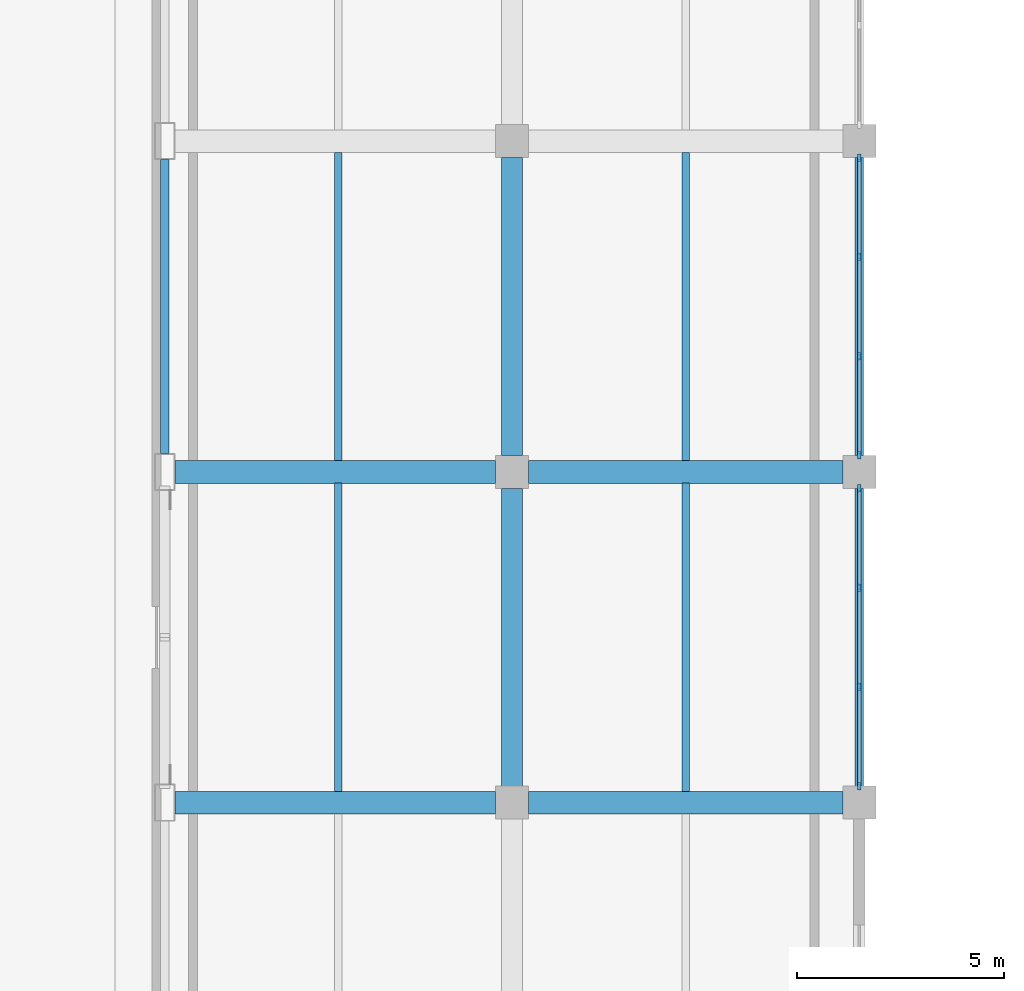
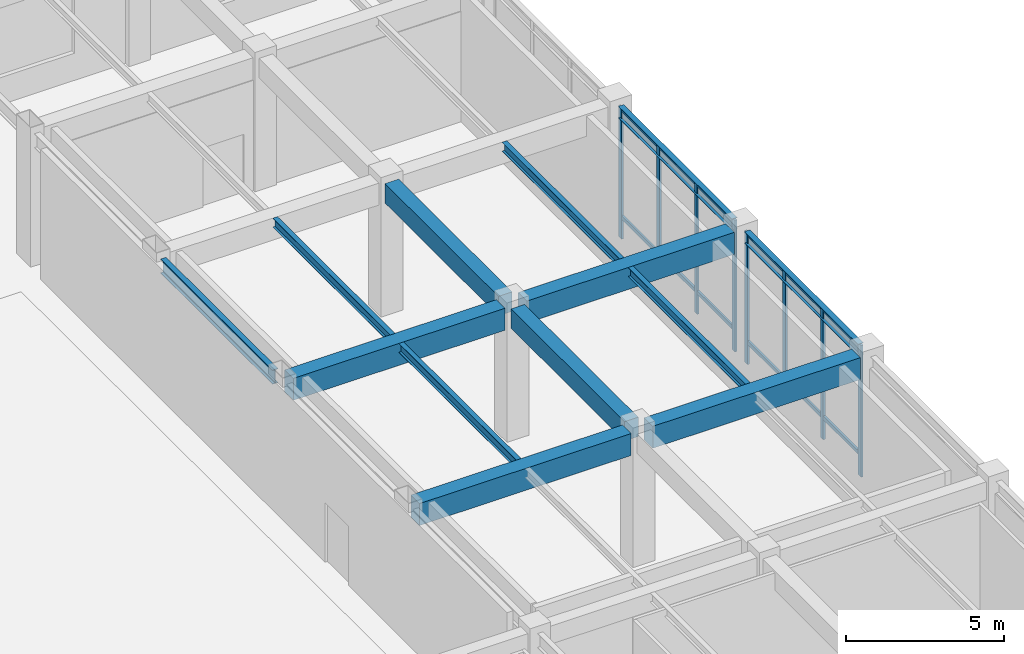
# One storey, part 40 of 79: 20 members, 13 beams, 2 elements without a shape of their own.
"""IFC4 building model written with IfcOpenShell, lengths in metres."""

from ifc_helpers import new_model, si_unit, direction, frame, origin, origin_2d, place, context, subcontext, project, spatial, rectangle, i_section, extrude, material, layer, layer_set, material_profile, profile_set, type_object, element, aggregate, save


model = new_model("IFC4")

# Units and contexts
model_context = context("Model", 3, precision=1e-05, world=origin(), true_north=direction((0.0, 1.0)))
body_context = subcontext(model_context, "Body", "Model", "MODEL_VIEW")
ifc_project = project(units=[si_unit("LENGTHUNIT", "METRE"), si_unit("AREAUNIT", "SQUARE_METRE"), si_unit("VOLUMEUNIT", "CUBIC_METRE"), si_unit("PLANEANGLEUNIT", "RADIAN"), si_unit("MASSUNIT", "GRAM", prefix="KILO")], contexts=[model_context])

# Site, building, storey
site_placement = place(None, origin())
site = spatial("IfcSite", under=ifc_project, at=site_placement, CompositionType="ELEMENT")
building_placement = place(site_placement, origin())
building = spatial("IfcBuilding", under=site, at=building_placement, Name="Naruveol Harbour Congress Hotel", CompositionType="ELEMENT")
storey_placement = place(building_placement, frame((0.0, 0.0, 6.0)))
storey = spatial("IfcBuildingStorey", under=building, at=storey_placement, Name="L01", CompositionType="ELEMENT", Elevation=6.0)

# Beams
ifc_material_1 = material(Name="Concrete C40/50", Category="concrete")
ifc_material_profile_1 = material_profile(ifc_material_1, rectangle(XDim=0.5, YDim=0.75, at=origin_2d()), Name="RCB-500x750")
ifc_profile_set_1 = profile_set([ifc_material_profile_1], Name="Concrete C40/50")
beam_type_1 = type_object("IfcBeamType", Name="RC FLOOR GIRDER 500X750", PredefinedType="BEAM", material=ifc_profile_set_1)
for number, where, z_axis, x_axis, name in (
    (1, (117.60009765625, 80.39599609375, 4.7451171875), (0.0, 1.0, 0.0), (-1.0, 0.0, 0.0), "Transverse girder L02 CB3"),
    (2, (117.60009765625, 88.39599609375, 4.7451171875), (0.0, 1.0, 0.0), (-1.0, 0.0, 0.0), "Transverse girder L02 CB3"),
):
    element("IfcBeam", number, at=place(storey_placement, frame(where, z_axis=z_axis, x_axis=x_axis)), inside=storey, type_object=beam_type_1, Name=name, PredefinedType="BEAM", context=body_context, shape_type="SweptSolid", body=[
        extrude(rectangle(XDim=0.5, YDim=0.75, at=origin_2d()), origin(), (0.0, 0.0, 1.0), 7.2080078125),
    ])
ifc_material_2 = material(Name="Concrete C40/50", Category="concrete")
ifc_material_profile_2 = material_profile(ifc_material_2, rectangle(XDim=0.550048828125, YDim=0.85009765625, at=origin_2d()), Name="RCB-550x850")
ifc_profile_set_2 = profile_set([ifc_material_profile_2], Name="Concrete C40/50")
beam_type_2 = type_object("IfcBeamType", Name="RC PRIMARY GIRDER 550X850", PredefinedType="BEAM", material=ifc_profile_set_2)
beam_1_placement = place(storey_placement, frame((109.446044921875, 80.0, 4.695068359375), z_axis=(1.0, 0.0, 0.0), x_axis=(0.0, 1.0, 0.0)))
element("IfcBeam", 3, at=beam_1_placement, inside=storey, type_object=beam_type_2, Name="Floor girder L02 CB2", PredefinedType="BEAM", context=body_context, shape_type="SweptSolid", body=[
    extrude(rectangle(XDim=0.550048828125, YDim=0.85009765625, at=origin_2d()), origin(), (0.0, 0.0, 1.0), 7.758056640625),
])
beam_2_placement = place(storey_placement, frame((117.99609375, 80.0, 4.695068359375), z_axis=(1.0, 0.0, 0.0), x_axis=(0.0, 1.0, 0.0)))
element("IfcBeam", 4, at=beam_2_placement, inside=storey, type_object=beam_type_2, Name="Floor girder L02 CB2", PredefinedType="BEAM", context=body_context, shape_type="SweptSolid", body=[
    extrude(rectangle(XDim=0.550048828125, YDim=0.85009765625, at=origin_2d()), origin(), (0.0, 0.0, 1.0), 7.60791015625),
])
beam_3_placement = place(storey_placement, frame((109.446044921875, 88.0, 4.695068359375), z_axis=(1.0, 0.0, 0.0), x_axis=(0.0, 1.0, 0.0)))
element("IfcBeam", 5, at=beam_3_placement, inside=storey, type_object=beam_type_2, Name="Floor girder L02 CB2", PredefinedType="BEAM", context=body_context, shape_type="SweptSolid", body=[
    extrude(rectangle(XDim=0.550048828125, YDim=0.85009765625, at=origin_2d()), origin(), (0.0, 0.0, 1.0), 7.758056640625),
])
beam_4_placement = place(storey_placement, frame((117.99609375, 88.0, 4.695068359375), z_axis=(1.0, 0.0, 0.0), x_axis=(0.0, 1.0, 0.0)))
element("IfcBeam", 6, at=beam_4_placement, inside=storey, type_object=beam_type_2, Name="Floor girder L02 CB2", PredefinedType="BEAM", context=body_context, shape_type="SweptSolid", body=[
    extrude(rectangle(XDim=0.550048828125, YDim=0.85009765625, at=origin_2d()), origin(), (0.0, 0.0, 1.0), 7.60791015625),
])
ifc_material_3 = material(Name="Steel SN490", Category="steel")
ifc_material_profile_3 = material_profile(ifc_material_3, i_section(OverallWidth=0.199951171875, OverallDepth=0.550048828125, WebThickness=0.010986328125, FlangeThickness=0.01708984375, at=origin_2d()), Name="H-550x200x11x17")
ifc_profile_set_3 = profile_set([ifc_material_profile_3], Name="Steel SN490")
beam_type_3 = type_object("IfcBeamType", Name="STEEL HALL GALLERY BEAM H550", PredefinedType="BEAM", material=ifc_profile_set_3)
beam_5_placement = place(storey_placement, frame((109.199951171875, 88.446044921875, 4.844970703125), z_axis=(0.0, 1.0, 0.0), x_axis=(-1.0, 0.0, 0.0)))
element("IfcBeam", 7, at=beam_5_placement, inside=storey, type_object=beam_type_3, Name="Transverse girder L02 SB4", PredefinedType="BEAM", context=body_context, shape_type="SweptSolid", body=[
    extrude(i_section(OverallWidth=0.199951171875, OverallDepth=0.550048828125, WebThickness=0.010986328125, FlangeThickness=0.01708984375, at=origin_2d()), origin(), (0.0, 0.0, 1.0), 7.10791015625),
])
ifc_material_4 = material(Name="Steel SN490", Category="steel")
ifc_material_profile_4 = material_profile(ifc_material_4, i_section(OverallWidth=0.175048828125, OverallDepth=0.35009765625, WebThickness=0.007080078125, FlangeThickness=0.010986328125, at=origin_2d()), Name="H-350x175x7x11")
ifc_profile_set_4 = profile_set([ifc_material_profile_4], Name="Steel SN490")
beam_type_4 = type_object("IfcBeamType", Name="STEEL SECONDARY JOIST H350", PredefinedType="JOIST", material=ifc_profile_set_4)
for number, where, z_axis, x_axis, name in (
    (8, (113.39990234375, 80.27099609375, 4.945068359375), (0.0, 1.0, 0.0), (-1.0, 0.0, 0.0), "Secondary floor joist L02 SJ2"),
    (9, (121.800048828125, 80.27099609375, 4.945068359375), (0.0, 1.0, 0.0), (-1.0, 0.0, 0.0), "Secondary floor joist L02 SJ2"),
    (10, (113.39990234375, 88.27099609375, 4.945068359375), (0.0, 1.0, 0.0), (-1.0, 0.0, 0.0), "Secondary floor joist L02 SJ2"),
    (11, (121.800048828125, 88.27099609375, 4.945068359375), (0.0, 1.0, 0.0), (-1.0, 0.0, 0.0), "Secondary floor joist L02 SJ2"),
):
    element("IfcBeam", number, at=place(storey_placement, frame(where, z_axis=z_axis, x_axis=x_axis)), inside=storey, type_object=beam_type_4, Name=name, PredefinedType="JOIST", context=body_context, shape_type="SweptSolid", body=[
        extrude(i_section(OverallWidth=0.175048828125, OverallDepth=0.35009765625, WebThickness=0.007080078125, FlangeThickness=0.010986328125, at=origin_2d()), origin(), (0.0, 0.0, 1.0), 7.4580078125),
    ])
ifc_material_5 = material(Name="Steel SN490", Category="steel")
ifc_material_profile_5 = material_profile(ifc_material_5, i_section(OverallWidth=0.199951171875, OverallDepth=0.449951171875, WebThickness=0.009033203125, FlangeThickness=0.013916015625, at=origin_2d()), Name="H-450x200x9x14")
ifc_profile_set_5 = profile_set([ifc_material_profile_5], Name="Steel SN490")
beam_type_5 = type_object("IfcBeamType", Name="STEEL SPANDREL EDGE BEAM H450", PredefinedType="SPANDREL", material=ifc_profile_set_5)
for number, where, z_axis, x_axis, name in (
    (12, (126.0, 80.39599609375, 4.89501953125), (0.0, 1.0, 0.0), (-1.0, 0.0, 0.0), "Transverse girder L02 SPB2"),
    (13, (126.0, 88.39599609375, 4.89501953125), (0.0, 1.0, 0.0), (-1.0, 0.0, 0.0), "Transverse girder L02 SPB2"),
):
    element("IfcBeam", number, at=place(storey_placement, frame(where, z_axis=z_axis, x_axis=x_axis)), inside=storey, type_object=beam_type_5, Name=name, PredefinedType="SPANDREL", context=body_context, shape_type="SweptSolid", body=[
        extrude(i_section(OverallWidth=0.199951171875, OverallDepth=0.449951171875, WebThickness=0.009033203125, FlangeThickness=0.013916015625, at=origin_2d()), origin(), (0.0, 0.0, 1.0), 7.2080078125),
    ])

# Curtain wall, members
ifc_material_6 = material(Name="Low-E Curtain Wall System", Category="glass")
ifc_layer = layer(ifc_material_6, 0.179931640625)
ifc_layer_set = layer_set([ifc_layer], Name="Low-E Curtain Wall System")
curtain_wall_type = type_object("IfcCurtainWallType", Name="UNITISED CURTAIN WALL CW-V2E-20 7200X5100", PredefinedType="USERDEFINED", material=ifc_layer_set)
curtain_wall_1_placement = place(storey_placement, origin())
curtain_wall_1 = element("IfcCurtainWall", 14, at=curtain_wall_1_placement, inside=storey, type_object=curtain_wall_type, Name="Unitised curtain wall CW-V2E-20 L01", ObjectType="UNITISED GLAZING", PredefinedType="USERDEFINED")
ifc_material_7 = material(Name="Anodised Aluminium 6063-T6", Category="aluminium")
ifc_material_profile_6 = material_profile(ifc_material_7, rectangle(XDim=0.074951171875, YDim=0.179931640625, at=origin_2d()), Name="ALU-75x180")
ifc_profile_set_6 = profile_set([ifc_material_profile_6], Name="Anodised Aluminium 6063-T6")
member_type_1 = type_object("IfcMemberType", Name="THERMAL ALUMINIUM MULLION 75X180", PredefinedType="MULLION", material=ifc_profile_set_6)
member_1_placement = place(storey_placement, frame((126.0, 87.60009765625, 0.0), z_axis=(0.0, 0.0, 1.0), x_axis=(1.0, 0.0, 0.0)))
member_1 = element("IfcMember", 15, at=member_1_placement, type_object=member_type_1, Name="Curtain wall mullion CW-L01-0041-M0", PredefinedType="MULLION", context=body_context, shape_type="SweptSolid", body=[
    extrude(rectangle(XDim=0.074951171875, YDim=0.179931640625, at=origin_2d()), origin(), (0.0, 0.0, 1.0), 5.10009765625),
])
member_2_placement = place(storey_placement, frame((126.0, 85.199951171875, 0.0), z_axis=(0.0, 0.0, 1.0), x_axis=(1.0, 0.0, 0.0)))
member_2 = element("IfcMember", 16, at=member_2_placement, type_object=member_type_1, Name="Curtain wall mullion CW-L01-0041-M1", PredefinedType="MULLION", context=body_context, shape_type="SweptSolid", body=[
    extrude(rectangle(XDim=0.074951171875, YDim=0.179931640625, at=origin_2d()), origin(), (0.0, 0.0, 1.0), 5.10009765625),
])
member_3_placement = place(storey_placement, frame((126.0, 82.800048828125, 0.0), z_axis=(0.0, 0.0, 1.0), x_axis=(1.0, 0.0, 0.0)))
member_3 = element("IfcMember", 17, at=member_3_placement, type_object=member_type_1, Name="Curtain wall mullion CW-L01-0041-M2", PredefinedType="MULLION", context=body_context, shape_type="SweptSolid", body=[
    extrude(rectangle(XDim=0.074951171875, YDim=0.179931640625, at=origin_2d()), origin(), (0.0, 0.0, 1.0), 5.10009765625),
])
member_4_placement = place(storey_placement, frame((126.0, 80.39990234375, 0.0), z_axis=(0.0, 0.0, 1.0), x_axis=(1.0, 0.0, 0.0)))
member_4 = element("IfcMember", 18, at=member_4_placement, type_object=member_type_1, Name="Curtain wall mullion CW-L01-0041-M3", PredefinedType="MULLION", context=body_context, shape_type="SweptSolid", body=[
    extrude(rectangle(XDim=0.074951171875, YDim=0.179931640625, at=origin_2d()), origin(), (0.0, 0.0, 1.0), 5.10009765625),
])

curtain_wall_2_placement = place(storey_placement, origin())
curtain_wall_2 = element("IfcCurtainWall", 19, at=curtain_wall_2_placement, inside=storey, type_object=curtain_wall_type, Name="Unitised curtain wall CW-V2E-20 L01", ObjectType="UNITISED GLAZING", PredefinedType="USERDEFINED")
member_5_placement = place(storey_placement, frame((126.0, 95.60009765625, 0.0), z_axis=(0.0, 0.0, 1.0), x_axis=(1.0, 0.0, 0.0)))
member_5 = element("IfcMember", 20, at=member_5_placement, type_object=member_type_1, Name="Curtain wall mullion CW-L01-0042-M0", PredefinedType="MULLION", context=body_context, shape_type="SweptSolid", body=[
    extrude(rectangle(XDim=0.074951171875, YDim=0.179931640625, at=origin_2d()), origin(), (0.0, 0.0, 1.0), 5.10009765625),
])
member_6_placement = place(storey_placement, frame((126.0, 93.199951171875, 0.0), z_axis=(0.0, 0.0, 1.0), x_axis=(1.0, 0.0, 0.0)))
member_6 = element("IfcMember", 21, at=member_6_placement, type_object=member_type_1, Name="Curtain wall mullion CW-L01-0042-M1", PredefinedType="MULLION", context=body_context, shape_type="SweptSolid", body=[
    extrude(rectangle(XDim=0.074951171875, YDim=0.179931640625, at=origin_2d()), origin(), (0.0, 0.0, 1.0), 5.10009765625),
])
member_7_placement = place(storey_placement, frame((126.0, 90.800048828125, 0.0), z_axis=(0.0, 0.0, 1.0), x_axis=(1.0, 0.0, 0.0)))
member_7 = element("IfcMember", 22, at=member_7_placement, type_object=member_type_1, Name="Curtain wall mullion CW-L01-0042-M2", PredefinedType="MULLION", context=body_context, shape_type="SweptSolid", body=[
    extrude(rectangle(XDim=0.074951171875, YDim=0.179931640625, at=origin_2d()), origin(), (0.0, 0.0, 1.0), 5.10009765625),
])
member_8_placement = place(storey_placement, frame((126.0, 88.39990234375, 0.0), z_axis=(0.0, 0.0, 1.0), x_axis=(1.0, 0.0, 0.0)))
member_8 = element("IfcMember", 23, at=member_8_placement, type_object=member_type_1, Name="Curtain wall mullion CW-L01-0042-M3", PredefinedType="MULLION", context=body_context, shape_type="SweptSolid", body=[
    extrude(rectangle(XDim=0.074951171875, YDim=0.179931640625, at=origin_2d()), origin(), (0.0, 0.0, 1.0), 5.10009765625),
])

# Member
ifc_material_8 = material(Name="Anodised Aluminium 6063-T6", Category="aluminium")
ifc_material_profile_7 = material_profile(ifc_material_8, rectangle(XDim=0.074951171875, YDim=0.14990234375, at=origin_2d()), Name="ALU-75x150")
ifc_profile_set_7 = profile_set([ifc_material_profile_7], Name="Anodised Aluminium 6063-T6")
member_type_2 = type_object("IfcMemberType", Name="THERMAL ALUMINIUM TRANSOM 75X150", PredefinedType="USERDEFINED", material=ifc_profile_set_7)
member_9_placement = place(storey_placement, frame((126.0, 87.56005859375, 0.85009765625), z_axis=(0.0, -1.0, 0.0), x_axis=(1.0, 0.0, 0.0)))
member_9 = element("IfcMember", 24, at=member_9_placement, type_object=member_type_2, Name="Curtain wall transom CW-L01-0041-T0.1", ObjectType="TRANSOM", PredefinedType="USERDEFINED", context=body_context, shape_type="SweptSolid", body=[
    extrude(rectangle(XDim=0.074951171875, YDim=0.14990234375, at=origin_2d()), origin(), (0.0, 0.0, 1.0), 2.320068359375),
])

member_10_placement = place(storey_placement, frame((126.0, 87.56005859375, 5.02001953125), z_axis=(0.0, -1.0, 0.0), x_axis=(1.0, 0.0, 0.0)))
member_10 = element("IfcMember", 25, at=member_10_placement, type_object=member_type_2, Name="Curtain wall transom CW-L01-0041-T0.2", ObjectType="TRANSOM", PredefinedType="USERDEFINED", context=body_context, shape_type="SweptSolid", body=[
    extrude(rectangle(XDim=0.074951171875, YDim=0.14990234375, at=origin_2d()), origin(), (0.0, 0.0, 1.0), 2.320068359375),
])

member_11_placement = place(storey_placement, frame((126.0, 85.159912109375, 0.85009765625), z_axis=(0.0, -1.0, 0.0), x_axis=(1.0, 0.0, 0.0)))
member_11 = element("IfcMember", 26, at=member_11_placement, type_object=member_type_2, Name="Curtain wall transom CW-L01-0041-T1.1", ObjectType="TRANSOM", PredefinedType="USERDEFINED", context=body_context, shape_type="SweptSolid", body=[
    extrude(rectangle(XDim=0.074951171875, YDim=0.14990234375, at=origin_2d()), origin(), (0.0, 0.0, 1.0), 2.31982421875),
])

member_12_placement = place(storey_placement, frame((126.0, 85.159912109375, 5.02001953125), z_axis=(0.0, -1.0, 0.0), x_axis=(1.0, 0.0, 0.0)))
member_12 = element("IfcMember", 27, at=member_12_placement, type_object=member_type_2, Name="Curtain wall transom CW-L01-0041-T1.2", ObjectType="TRANSOM", PredefinedType="USERDEFINED", context=body_context, shape_type="SweptSolid", body=[
    extrude(rectangle(XDim=0.074951171875, YDim=0.14990234375, at=origin_2d()), origin(), (0.0, 0.0, 1.0), 2.31982421875),
])

member_13_placement = place(storey_placement, frame((126.0, 82.760009765625, 0.85009765625), z_axis=(0.0, -1.0, 0.0), x_axis=(1.0, 0.0, 0.0)))
member_13 = element("IfcMember", 28, at=member_13_placement, type_object=member_type_2, Name="Curtain wall transom CW-L01-0041-T2.1", ObjectType="TRANSOM", PredefinedType="USERDEFINED", context=body_context, shape_type="SweptSolid", body=[
    extrude(rectangle(XDim=0.074951171875, YDim=0.14990234375, at=origin_2d()), origin(), (0.0, 0.0, 1.0), 2.320068359375),
])

member_14_placement = place(storey_placement, frame((126.0, 82.760009765625, 5.02001953125), z_axis=(0.0, -1.0, 0.0), x_axis=(1.0, 0.0, 0.0)))
member_14 = element("IfcMember", 29, at=member_14_placement, type_object=member_type_2, Name="Curtain wall transom CW-L01-0041-T2.2", ObjectType="TRANSOM", PredefinedType="USERDEFINED", context=body_context, shape_type="SweptSolid", body=[
    extrude(rectangle(XDim=0.074951171875, YDim=0.14990234375, at=origin_2d()), origin(), (0.0, 0.0, 1.0), 2.320068359375),
])

aggregate(curtain_wall_1, [member_1, member_2, member_3, member_4, member_9, member_10, member_11, member_12, member_13, member_14])

member_15_placement = place(storey_placement, frame((126.0, 95.56005859375, 0.85009765625), z_axis=(0.0, -1.0, 0.0), x_axis=(1.0, 0.0, 0.0)))
member_15 = element("IfcMember", 30, at=member_15_placement, type_object=member_type_2, Name="Curtain wall transom CW-L01-0042-T0.1", ObjectType="TRANSOM", PredefinedType="USERDEFINED", context=body_context, shape_type="SweptSolid", body=[
    extrude(rectangle(XDim=0.074951171875, YDim=0.14990234375, at=origin_2d()), origin(), (0.0, 0.0, 1.0), 2.320068359375),
])

member_16_placement = place(storey_placement, frame((126.0, 95.56005859375, 5.02001953125), z_axis=(0.0, -1.0, 0.0), x_axis=(1.0, 0.0, 0.0)))
member_16 = element("IfcMember", 31, at=member_16_placement, type_object=member_type_2, Name="Curtain wall transom CW-L01-0042-T0.2", ObjectType="TRANSOM", PredefinedType="USERDEFINED", context=body_context, shape_type="SweptSolid", body=[
    extrude(rectangle(XDim=0.074951171875, YDim=0.14990234375, at=origin_2d()), origin(), (0.0, 0.0, 1.0), 2.320068359375),
])

member_17_placement = place(storey_placement, frame((126.0, 93.159912109375, 0.85009765625), z_axis=(0.0, -1.0, 0.0), x_axis=(1.0, 0.0, 0.0)))
member_17 = element("IfcMember", 32, at=member_17_placement, type_object=member_type_2, Name="Curtain wall transom CW-L01-0042-T1.1", ObjectType="TRANSOM", PredefinedType="USERDEFINED", context=body_context, shape_type="SweptSolid", body=[
    extrude(rectangle(XDim=0.074951171875, YDim=0.14990234375, at=origin_2d()), origin(), (0.0, 0.0, 1.0), 2.31982421875),
])

member_18_placement = place(storey_placement, frame((126.0, 93.159912109375, 5.02001953125), z_axis=(0.0, -1.0, 0.0), x_axis=(1.0, 0.0, 0.0)))
member_18 = element("IfcMember", 33, at=member_18_placement, type_object=member_type_2, Name="Curtain wall transom CW-L01-0042-T1.2", ObjectType="TRANSOM", PredefinedType="USERDEFINED", context=body_context, shape_type="SweptSolid", body=[
    extrude(rectangle(XDim=0.074951171875, YDim=0.14990234375, at=origin_2d()), origin(), (0.0, 0.0, 1.0), 2.31982421875),
])

member_19_placement = place(storey_placement, frame((126.0, 90.760009765625, 0.85009765625), z_axis=(0.0, -1.0, 0.0), x_axis=(1.0, 0.0, 0.0)))
member_19 = element("IfcMember", 34, at=member_19_placement, type_object=member_type_2, Name="Curtain wall transom CW-L01-0042-T2.1", ObjectType="TRANSOM", PredefinedType="USERDEFINED", context=body_context, shape_type="SweptSolid", body=[
    extrude(rectangle(XDim=0.074951171875, YDim=0.14990234375, at=origin_2d()), origin(), (0.0, 0.0, 1.0), 2.320068359375),
])

member_20_placement = place(storey_placement, frame((126.0, 90.760009765625, 5.02001953125), z_axis=(0.0, -1.0, 0.0), x_axis=(1.0, 0.0, 0.0)))
member_20 = element("IfcMember", 35, at=member_20_placement, type_object=member_type_2, Name="Curtain wall transom CW-L01-0042-T2.2", ObjectType="TRANSOM", PredefinedType="USERDEFINED", context=body_context, shape_type="SweptSolid", body=[
    extrude(rectangle(XDim=0.074951171875, YDim=0.14990234375, at=origin_2d()), origin(), (0.0, 0.0, 1.0), 2.320068359375),
])

aggregate(curtain_wall_2, [member_5, member_6, member_7, member_8, member_15, member_16, member_17, member_18, member_19, member_20])

save(model, "model.ifc")
